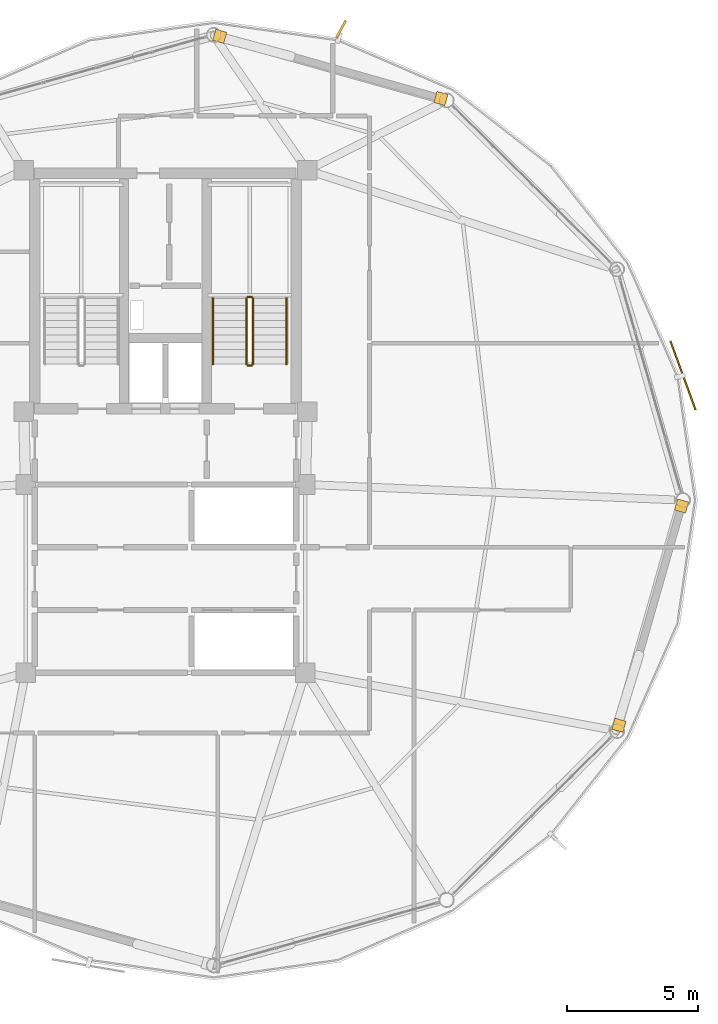
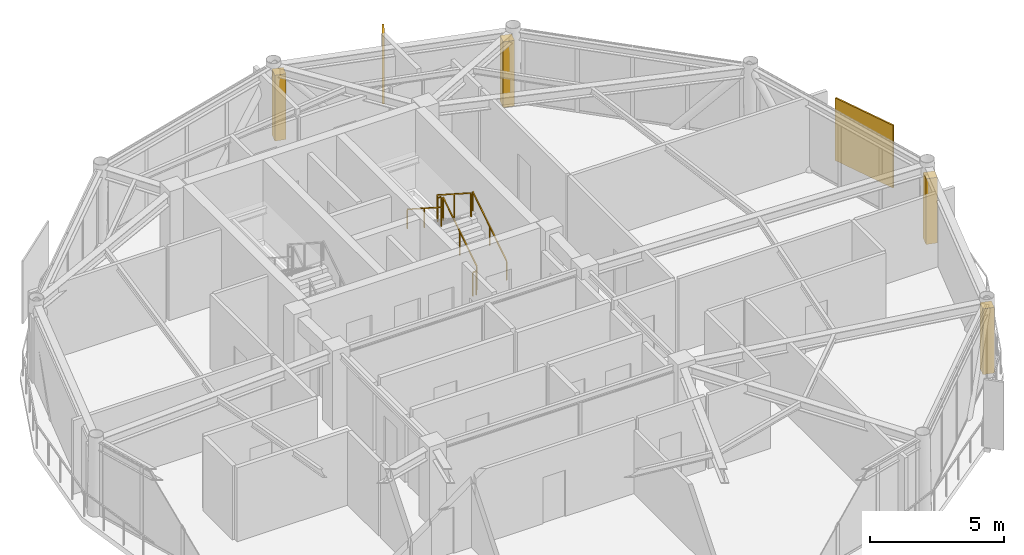
# One storey, part 25 of 25: 6 railings, 4 coverings, 2 shading devices.
"""IFC4 building model written with IfcOpenShell, lengths in metres."""

from ifc_helpers import new_model, si_unit, direction, frame, origin, origin_2d, place, context, subcontext, project, spatial, rectangle, extrude, source, transform, mapped, material, layer, layer_set, type_object, type_shapes, element, save


model = new_model("IFC4")

# Units and contexts
model_context = context("Model", 3, precision=1e-05, world=origin(), true_north=direction((0.0, 1.0)))
body_context = subcontext(model_context, "Body", "Model", "MODEL_VIEW")
ifc_project = project(units=[si_unit("LENGTHUNIT", "METRE"), si_unit("AREAUNIT", "SQUARE_METRE"), si_unit("VOLUMEUNIT", "CUBIC_METRE"), si_unit("PLANEANGLEUNIT", "RADIAN"), si_unit("MASSUNIT", "GRAM", prefix="KILO")], contexts=[model_context])

# Site, building, storey
site_placement = place(None, origin())
site = spatial("IfcSite", under=ifc_project, at=site_placement, CompositionType="ELEMENT")
building_placement = place(site_placement, origin())
building = spatial("IfcBuilding", under=site, at=building_placement, Name="Varnakorn Sky Granary", CompositionType="ELEMENT")
storey_placement = place(building_placement, frame((0.0, 0.0, 277.800048828125)))
storey = spatial("IfcBuildingStorey", under=building, at=storey_placement, Name="L71", CompositionType="ELEMENT", Elevation=277.800048828125)

# Railings
ifc_material_1 = material(Name="Brushed Stainless Steel 316", Category="steel")
railing_type_1 = type_object("IfcRailingType", Name="RL-STAIR-1100", PredefinedType="GUARDRAIL", material=ifc_material_1)
railing_1_placement = place(storey_placement, frame((6.35009765625, 5.199951171875, 0.179931640625)))
element("IfcRailing", 1, at=railing_1_placement, inside=storey, type_object=railing_type_1, Name="L71 ST-2 stair guard 1", PredefinedType="GUARDRAIL", context=body_context, shape_type="SweptSolid", body=[
    extrude(rectangle(XDim=0.048095703125, YDim=0.048095703125, at=origin_2d()), frame((0.0, 0.0, 1.076171875), z_axis=(0.0, 0.841162588446, 0.540782303519), x_axis=(-1.0, 0.0, 0.0)), (0.0, 0.0, 1.0), 2.995849609375),
    extrude(rectangle(XDim=0.0419921875, YDim=0.0419921875, at=origin_2d()), origin(), (0.0, 0.0, 1.0), 1.048095703125),
    extrude(rectangle(XDim=0.0419921875, YDim=0.0419921875, at=origin_2d()), frame((0.0, 1.260009765625, 0.81005859375)), (0.0, 0.0, 1.0), 1.048095703125),
    extrude(rectangle(XDim=0.0419921875, YDim=0.0419921875, at=origin_2d()), frame((0.0, 2.52001953125, 1.6201171875)), (0.0, 0.0, 1.0), 1.048095703125),
])
railing_2_placement = place(storey_placement, frame((6.300048828125, 7.77001953125, 1.800048828125)))
element("IfcRailing", 2, at=railing_2_placement, inside=storey, type_object=railing_type_1, Name="L71 ST-2 stair guard 2", PredefinedType="GUARDRAIL", context=body_context, shape_type="SweptSolid", body=[
    extrude(rectangle(XDim=0.048095703125, YDim=0.048095703125, at=origin_2d()), frame((0.0, 0.0, 1.076171875), z_axis=(-1.0, 0.0, 0.0), x_axis=(0.0, -1.0, 0.0)), (0.0, 0.0, 1.0), 0.150146484375),
    extrude(rectangle(XDim=0.0419921875, YDim=0.0419921875, at=origin_2d()), origin(), (0.0, 0.0, 1.0), 1.048095703125),
    extrude(rectangle(XDim=0.0419921875, YDim=0.0419921875, at=origin_2d()), frame((-0.150146484375, 0.0, 0.0)), (0.0, 0.0, 1.0), 1.048095703125),
])
railing_3_placement = place(storey_placement, frame((6.10009765625, 7.719970703125, 1.97998046875)))
element("IfcRailing", 3, at=railing_3_placement, inside=storey, type_object=railing_type_1, Name="L71 ST-2 stair guard 3", PredefinedType="GUARDRAIL", context=body_context, shape_type="SweptSolid", body=[
    extrude(rectangle(XDim=0.048095703125, YDim=0.048095703125, at=origin_2d()), frame((0.0, 0.0, 1.076171875), z_axis=(0.0, -0.841199657755, 0.540724639528), x_axis=(1.0, 0.0, 0.0)), (0.0, 0.0, 1.0), 2.995849609375),
    extrude(rectangle(XDim=0.0419921875, YDim=0.0419921875, at=origin_2d()), origin(), (0.0, 0.0, 1.0), 1.048095703125),
    extrude(rectangle(XDim=0.0419921875, YDim=0.0419921875, at=origin_2d()), frame((0.0, -1.260009765625, 0.81005859375)), (0.0, 0.0, 1.0), 1.048095703125),
    extrude(rectangle(XDim=0.0419921875, YDim=0.0419921875, at=origin_2d()), frame((0.0, -2.52001953125, 1.619873046875)), (0.0, 0.0, 1.0), 1.048095703125),
])
railing_4_placement = place(storey_placement, frame((6.300048828125, 5.14990234375, 0.0)))
element("IfcRailing", 4, at=railing_4_placement, inside=storey, type_object=railing_type_1, Name="L71 ST-2 stair guard 4", PredefinedType="GUARDRAIL", context=body_context, shape_type="SweptSolid", body=[
    extrude(rectangle(XDim=0.048095703125, YDim=0.048095703125, at=origin_2d()), frame((0.0, 0.0, 1.076171875), z_axis=(-1.0, 0.0, 0.0), x_axis=(0.0, -1.0, 0.0)), (0.0, 0.0, 1.0), 0.150146484375),
    extrude(rectangle(XDim=0.0419921875, YDim=0.0419921875, at=origin_2d()), origin(), (0.0, 0.0, 1.0), 1.048095703125),
    extrude(rectangle(XDim=0.0419921875, YDim=0.0419921875, at=origin_2d()), frame((-0.150146484375, 0.0, 0.0)), (0.0, 0.0, 1.0), 1.048095703125),
])
railing_type_2 = type_object("IfcRailingType", Name="RL-STAIR-920", PredefinedType="HANDRAIL", material=ifc_material_1)
railing_5_placement = place(storey_placement, frame((7.6298828125, 5.199951171875, 0.179931640625)))
element("IfcRailing", 5, at=railing_5_placement, inside=storey, type_object=railing_type_2, Name="L71 ST-2 stair handrail 1", PredefinedType="HANDRAIL", context=body_context, shape_type="SweptSolid", body=[
    extrude(rectangle(XDim=0.048095703125, YDim=0.048095703125, at=origin_2d()), frame((0.0, 0.0, 0.8759765625), z_axis=(0.0, 0.841162588446, 0.540782303519), x_axis=(-1.0, 0.0, 0.0)), (0.0, 0.0, 1.0), 2.995849609375),
    extrude(rectangle(XDim=0.0419921875, YDim=0.0419921875, at=origin_2d()), origin(), (0.0, 0.0, 1.0), 0.847900390625),
    extrude(rectangle(XDim=0.0419921875, YDim=0.0419921875, at=origin_2d()), frame((0.0, 1.260009765625, 0.81005859375)), (0.0, 0.0, 1.0), 0.847900390625),
    extrude(rectangle(XDim=0.0419921875, YDim=0.0419921875, at=origin_2d()), frame((0.0, 2.52001953125, 1.6201171875)), (0.0, 0.0, 1.0), 0.847900390625),
])
railing_6_placement = place(storey_placement, frame((4.820068359375, 7.719970703125, 1.97998046875)))
element("IfcRailing", 6, at=railing_6_placement, inside=storey, type_object=railing_type_2, Name="L71 ST-2 stair handrail 2", PredefinedType="HANDRAIL", context=body_context, shape_type="SweptSolid", body=[
    extrude(rectangle(XDim=0.048095703125, YDim=0.048095703125, at=origin_2d()), frame((0.0, 0.0, 0.8759765625), z_axis=(0.0, -0.841199657755, 0.540724639528), x_axis=(1.0, 0.0, 0.0)), (0.0, 0.0, 1.0), 2.995849609375),
    extrude(rectangle(XDim=0.0419921875, YDim=0.0419921875, at=origin_2d()), origin(), (0.0, 0.0, 1.0), 0.847900390625),
    extrude(rectangle(XDim=0.0419921875, YDim=0.0419921875, at=origin_2d()), frame((0.0, -1.260009765625, 0.81005859375)), (0.0, 0.0, 1.0), 0.847900390625),
    extrude(rectangle(XDim=0.0419921875, YDim=0.0419921875, at=origin_2d()), frame((0.0, -2.52001953125, 1.619873046875)), (0.0, 0.0, 1.0), 0.847900390625),
])

# Coverings
ifc_material_2 = material(Name="Anodised Bronze Aluminium Alloy 6063-T6", Category="aluminium")
ifc_layer = layer(ifc_material_2, 0.050048828125, Name="Anodised Bronze Aluminium Alloy 6063-T6")
ifc_layer_set = layer_set([ifc_layer], Name="Anodised Bronze Aluminium Alloy 6063-T6")
covering_type = type_object("IfcCoveringType", Name="CV-CLAD-50", PredefinedType="CLADDING", material=ifc_layer_set)
shared_shape_1 = source(origin(), body_context, "Body", "SweptSolid", [
    extrude(rectangle(XDim=0.43994140625, YDim=0.43994140625, at=origin_2d()), origin(), (0.0, 0.0, 1.0), 2.989990234375),
])
type_shapes(covering_type, [shared_shape_1])
for number, where, z_axis, x_axis, name in (
    (7, (5.07568359375, 17.738525390625, -0.02001953125), (0.0, 0.0, 1.0), (0.962738960451, -0.270432420449, 0.0), "Bronze Corner Pilaster Closure L71-P03-A"),
    (8, (13.533203125, 15.363525390625, -0.02001953125), (0.0, 0.0, 1.0), (0.962738960451, -0.270432420449, 0.0), "Bronze Corner Pilaster Closure L71-P03-B"),
    (9, (22.738525390625, -0.2255859375, -0.02001953125), (0.0, 0.0, 1.0), (-0.274630573972, -0.961549815579, 0.0), "Bronze Corner Pilaster Closure L71-P12-A"),
    (10, (20.34521484375, -8.60791015625, -0.02001953125), (0.0, 0.0, 1.0), (-0.274630573972, -0.961549815579, 0.0), "Bronze Corner Pilaster Closure L71-P12-B"),
):
    element("IfcCovering", number, at=place(storey_placement, frame(where, z_axis=z_axis, x_axis=x_axis)), inside=storey, type_object=covering_type, Name=name, PredefinedType="CLADDING", context=body_context, shape_type="MappedRepresentation", body=[
        mapped(shared_shape_1, transform((0.0, 0.0, 0.0), x_axis=(1.0, 0.0, 0.0), y_axis=(0.0, 1.0, 0.0), z_axis=(0.0, 0.0, 1.0), scale=1.0)),
    ])

# Shading devices
shading_device_type_1 = type_object("IfcShadingDeviceType", Name="SH-FIN-03", PredefinedType="USERDEFINED", material=ifc_material_2)
shared_shape_2 = source(origin(), body_context, "Body", "SweptSolid", [
    extrude(rectangle(XDim=0.0849609375, YDim=0.760009765625, at=origin_2d()), origin(), (0.0, 0.0, 1.0), 3.10009765625),
])
type_shapes(shading_device_type_1, [shared_shape_2])
shading_device_1_placement = place(storey_placement, frame((9.71630859375, 18.011474609375, -0.0400390625), z_axis=(0.0, 0.0, 1.0), x_axis=(-0.875110874806, 0.48392246982, 0.0)))
element("IfcShadingDevice", 11, at=shading_device_1_placement, inside=storey, type_object=shading_device_type_1, Name="Bronze Solar-Tracking Vertical Blade FIN L71-03", ObjectType="FIN", PredefinedType="USERDEFINED", context=body_context, shape_type="MappedRepresentation", body=[
    mapped(shared_shape_2, transform((0.0, 0.0, 0.0), x_axis=(1.0, 0.0, 0.0), y_axis=(0.0, 1.0, 0.0), z_axis=(0.0, 0.0, 1.0), scale=1.0)),
])
shading_device_type_2 = type_object("IfcShadingDeviceType", Name="SH-SCR-03", PredefinedType="USERDEFINED", material=ifc_material_2)
shared_shape_3 = source(origin(), body_context, "Body", "SweptSolid", [
    extrude(rectangle(XDim=2.800048828125, YDim=0.06494140625, at=origin_2d()), origin(), (0.0, 0.0, 1.0), 2.85009765625),
])
type_shapes(shading_device_type_2, [shared_shape_3])
shading_device_2_placement = place(storey_placement, frame((22.794921875, 4.768798828125, -0.0400390625), z_axis=(0.0, 0.0, 1.0), x_axis=(-0.344182482312, 0.938902773917, 0.0)))
element("IfcShadingDevice", 12, at=shading_device_2_placement, inside=storey, type_object=shading_device_type_2, Name="Perforated Bronze Solar Screen Panel SCREEN L71-01", ObjectType="SCREEN", PredefinedType="USERDEFINED", context=body_context, shape_type="MappedRepresentation", body=[
    mapped(shared_shape_3, transform((0.0, 0.0, 0.0), x_axis=(1.0, 0.0, 0.0), y_axis=(0.0, 1.0, 0.0), z_axis=(0.0, 0.0, 1.0), scale=1.0)),
])

save(model, "model.ifc")
